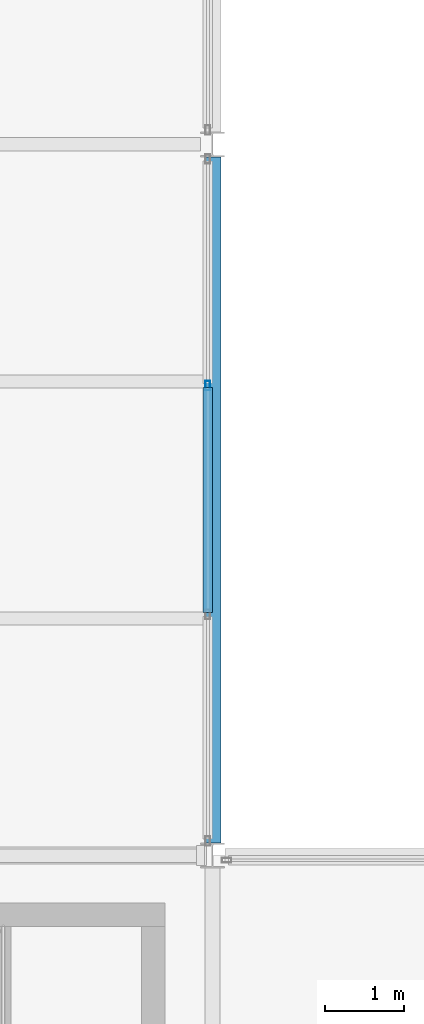
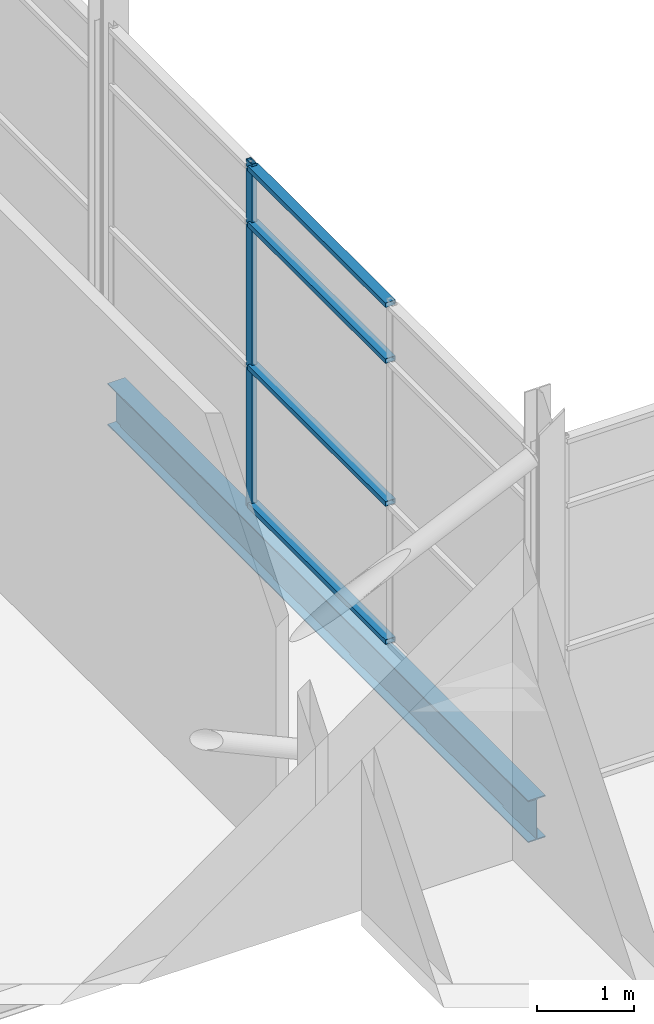
# One storey, part 11 of 61: 5 members, 1 beam, 1 element without a shape of its own.
"""IFC4 building model written with IfcOpenShell, lengths in metres."""

from ifc_helpers import new_model, si_unit, direction, frame, origin, origin_2d, place, context, subcontext, project, spatial, hollow_rectangle, i_section, extrude, material, layer, layer_set, material_profile, profile_set, type_object, element, aggregate, save


model = new_model("IFC4")

# Units and contexts
model_context = context("Model", 3, precision=1e-05, world=origin(), true_north=direction((0.0, 1.0)))
body_context = subcontext(model_context, "Body", "Model", "MODEL_VIEW")
ifc_project = project(units=[si_unit("LENGTHUNIT", "METRE"), si_unit("AREAUNIT", "SQUARE_METRE"), si_unit("VOLUMEUNIT", "CUBIC_METRE"), si_unit("PLANEANGLEUNIT", "RADIAN"), si_unit("MASSUNIT", "GRAM", prefix="KILO")], contexts=[model_context])

# Site, building, storey
site_placement = place(None, origin())
site = spatial("IfcSite", under=ifc_project, at=site_placement, CompositionType="ELEMENT")
building_placement = place(site_placement, origin())
building = spatial("IfcBuilding", under=site, at=building_placement, Name="Shorebreak Coast Museum", CompositionType="ELEMENT")
storey_placement = place(building_placement, frame((0.0, 0.0, 26.0)))
storey = spatial("IfcBuildingStorey", under=building, at=storey_placement, Name="L04", CompositionType="ELEMENT", Elevation=26.0)

# Beam
ifc_material_1 = material(Name="Steel Grade 300", Category="steel")
ifc_material_profile_1 = material_profile(ifc_material_1, i_section(OverallWidth=0.208984375, OverallDepth=0.5283203125, WebThickness=0.009521484375, FlangeThickness=0.01318359375, FilletRadius=0.013916015625, at=origin_2d()), Name="530UB82.0")
ifc_profile_set_1 = profile_set([ifc_material_profile_1], Name="Steel Grade 300")
beam_type = type_object("IfcBeamType", Name="Floor girder north-south 530UB82.0", PredefinedType="BEAM", material=ifc_profile_set_1)
beam_placement = place(storey_placement, frame((63.0, 63.160400390625, -0.439208984375), z_axis=(0.0, 1.0, 0.0), x_axis=(-1.0, 0.0, 0.0)))
element("IfcBeam", 1, at=beam_placement, inside=storey, type_object=beam_type, Name="Floor girder north-south L04 8H", PredefinedType="BEAM", context=body_context, shape_type="SweptSolid", body=[
    extrude(i_section(OverallWidth=0.208984375, OverallDepth=0.5283203125, WebThickness=0.009521484375, FlangeThickness=0.01318359375, FilletRadius=0.013916015625, at=origin_2d()), origin(), (0.0, 0.0, 1.0), 8.67919921875),
])

# Curtain wall, members
ifc_material_2 = material(Name="Aluminium", Category="aluminium")
ifc_layer = layer(ifc_material_2, 0.1201171875)
ifc_layer_set = layer_set([ifc_layer], Name="Aluminium")
curtain_wall_type = type_object("IfcCurtainWallType", Name="Atrium fire screen", PredefinedType="NOTDEFINED", material=ifc_layer_set)
curtain_wall_placement = place(storey_placement, origin())
curtain_wall = element("IfcCurtainWall", 2, at=curtain_wall_placement, inside=storey, type_object=curtain_wall_type, Name="Atrium screen L04 W 59", PredefinedType="NOTDEFINED")
ifc_material_3 = material(Name="Aluminium", Category="aluminium")
ifc_material_profile_2 = material_profile(ifc_material_3, hollow_rectangle(XDim=0.06005859375, YDim=0.1201171875, WallThickness=0.00341796875, at=origin_2d()), Name="AL 120x60 RHS")
ifc_profile_set_2 = profile_set([ifc_material_profile_2], Name="Aluminium")
member_type_1 = type_object("IfcMemberType", Name="Screen mullion 50 x 120", PredefinedType="MULLION", material=ifc_profile_set_2)
member_1_placement = place(storey_placement, frame((62.93994140625, 68.947509765625, 0.0), z_axis=(0.0, 0.0, 1.0), x_axis=(-1.0, 0.0, 0.0)))
member_1 = element("IfcMember", 3, at=member_1_placement, type_object=member_type_1, Name="CW6 mullion 3", PredefinedType="MULLION", context=body_context, shape_type="SweptSolid", body=[
    extrude(hollow_rectangle(XDim=0.06005859375, YDim=0.1201171875, WallThickness=0.00341796875, at=origin_2d()), origin(), (0.0, 0.0, 1.0), 4.364501953125),
])
ifc_material_4 = material(Name="Aluminium", Category="aluminium")
ifc_material_profile_3 = material_profile(ifc_material_4, hollow_rectangle(XDim=0.1201171875, YDim=0.06005859375, WallThickness=0.00341796875, at=origin_2d()), Name="AL 60x120 RHS")
ifc_profile_set_3 = profile_set([ifc_material_profile_3], Name="Aluminium")
member_type_2 = type_object("IfcMemberType", Name="Screen transom 120 x 50", PredefinedType="USERDEFINED", material=ifc_profile_set_3)
member_2_placement = place(storey_placement, frame((62.93994140625, 66.077392578125, 0.06005859375), z_axis=(0.0, 1.0, 0.0), x_axis=(-1.0, 0.0, 0.0)))
member_2 = element("IfcMember", 4, at=member_2_placement, type_object=member_type_2, Name="CW6 transom 2.1", ObjectType="TRANSOM", PredefinedType="USERDEFINED", context=body_context, shape_type="SweptSolid", body=[
    extrude(hollow_rectangle(XDim=0.1201171875, YDim=0.06005859375, WallThickness=0.00341796875, at=origin_2d()), origin(), (0.0, 0.0, 1.0), 2.84521484375),
])
member_3_placement = place(storey_placement, frame((62.93994140625, 66.077392578125, 1.800048828125), z_axis=(0.0, 1.0, 0.0), x_axis=(-1.0, 0.0, 0.0)))
member_3 = element("IfcMember", 5, at=member_3_placement, type_object=member_type_2, Name="CW6 transom 2.2", ObjectType="TRANSOM", PredefinedType="USERDEFINED", context=body_context, shape_type="SweptSolid", body=[
    extrude(hollow_rectangle(XDim=0.1201171875, YDim=0.06005859375, WallThickness=0.00341796875, at=origin_2d()), origin(), (0.0, 0.0, 1.0), 2.84521484375),
])
member_4_placement = place(storey_placement, frame((62.93994140625, 66.077392578125, 3.60009765625), z_axis=(0.0, 1.0, 0.0), x_axis=(-1.0, 0.0, 0.0)))
member_4 = element("IfcMember", 6, at=member_4_placement, type_object=member_type_2, Name="CW6 transom 2.3", ObjectType="TRANSOM", PredefinedType="USERDEFINED", context=body_context, shape_type="SweptSolid", body=[
    extrude(hollow_rectangle(XDim=0.1201171875, YDim=0.06005859375, WallThickness=0.00341796875, at=origin_2d()), origin(), (0.0, 0.0, 1.0), 2.84521484375),
])
member_5_placement = place(storey_placement, frame((62.93994140625, 66.077392578125, 4.3046875), z_axis=(0.0, 1.0, 0.0), x_axis=(-1.0, 0.0, 0.0)))
member_5 = element("IfcMember", 7, at=member_5_placement, type_object=member_type_2, Name="CW6 transom 2.4", ObjectType="TRANSOM", PredefinedType="USERDEFINED", context=body_context, shape_type="SweptSolid", body=[
    extrude(hollow_rectangle(XDim=0.1201171875, YDim=0.06005859375, WallThickness=0.00341796875, at=origin_2d()), origin(), (0.0, 0.0, 1.0), 2.84521484375),
])
aggregate(curtain_wall, [member_1, member_2, member_3, member_4, member_5])

save(model, "model.ifc")
